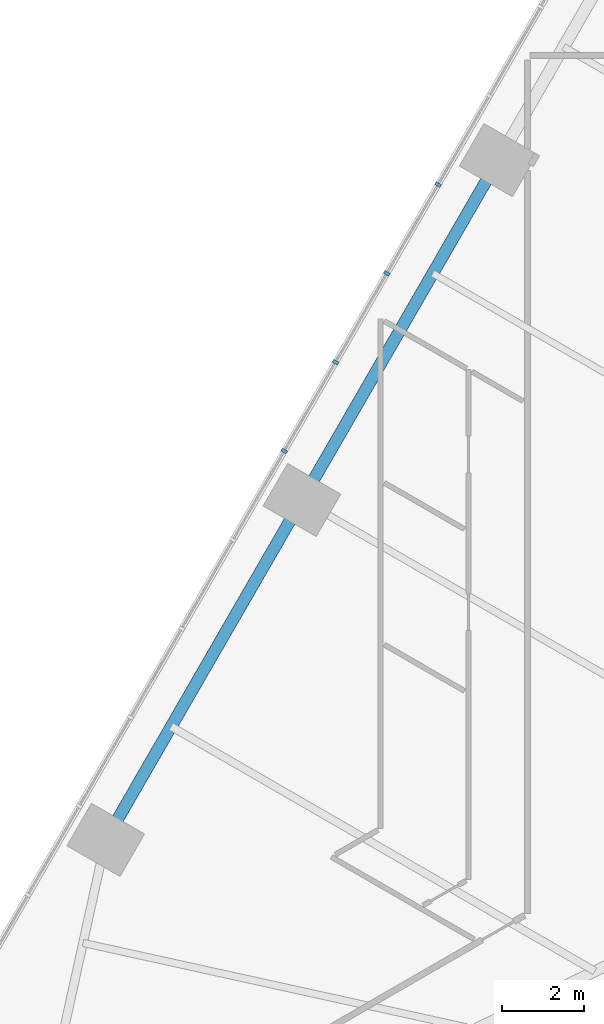
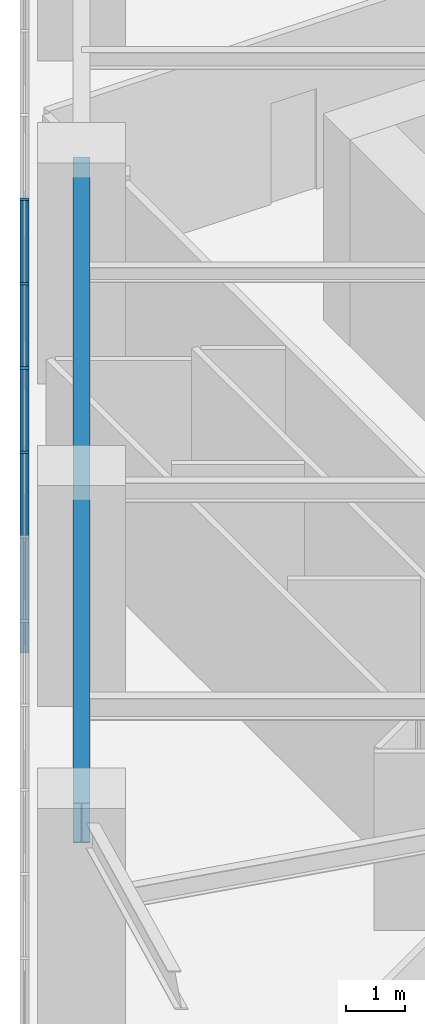
# One storey, part 4 of 29: 4 members, 1 beam, 1 element without a shape of its own.
"""IFC4 building model written with IfcOpenShell, lengths in metres."""

from ifc_helpers import new_model, si_unit, direction, frame, origin, origin_2d, place, context, subcontext, project, spatial, rectangle, i_section, extrude, material, layer, layer_set, material_profile, profile_set, type_object, element, aggregate, save


model = new_model("IFC4")

# Units and contexts
model_context = context("Model", 3, precision=1e-05, world=origin(), true_north=direction((0.0, 1.0)))
body_context = subcontext(model_context, "Body", "Model", "MODEL_VIEW")
ifc_project = project(units=[si_unit("LENGTHUNIT", "METRE"), si_unit("AREAUNIT", "SQUARE_METRE"), si_unit("VOLUMEUNIT", "CUBIC_METRE"), si_unit("PLANEANGLEUNIT", "RADIAN"), si_unit("MASSUNIT", "GRAM", prefix="KILO")], contexts=[model_context])

# Site, building, storey
site_placement = place(None, origin())
site = spatial("IfcSite", under=ifc_project, at=site_placement, CompositionType="ELEMENT")
building_placement = place(site_placement, origin())
building = spatial("IfcBuilding", under=site, at=building_placement, Name="Firuza Gate Tower and Library", CompositionType="ELEMENT")
storey_placement = place(building_placement, frame((0.0, 0.0, 8.0)))
storey = spatial("IfcBuildingStorey", under=building, at=storey_placement, Name="L01", CompositionType="ELEMENT", Elevation=8.0)

# Curtain wall, members
ifc_material_1 = material(Name="Aluminium 6063-T6", Category="aluminium")
ifc_layer = layer(ifc_material_1, 0.14990234375)
ifc_layer_set = layer_set([ifc_layer], Name="Stick curtain wall, podium")
curtain_wall_type = type_object("IfcCurtainWallType", Name="Stick curtain wall, podium", PredefinedType="NOTDEFINED", material=ifc_layer_set)
curtain_wall_placement = place(storey_placement, origin())
curtain_wall = element("IfcCurtainWall", 1, at=curtain_wall_placement, inside=storey, type_object=curtain_wall_type, Name="CW5 L01 W", PredefinedType="NOTDEFINED")
ifc_material_2 = material(Name="Aluminium 6063-T6", Category="aluminium")
ifc_material_profile_1 = material_profile(ifc_material_2, rectangle(XDim=0.14990234375, YDim=0.080078125, at=origin_2d()))
ifc_profile_set_1 = profile_set([ifc_material_profile_1], Name="Aluminium 6063-T6")
member_type = type_object("IfcMemberType", Name="Curtain wall mullion 80x150", PredefinedType="MULLION", material=ifc_profile_set_1)
member_1_placement = place(storey_placement, frame((56.30810546875, 84.34375, 0.14990234375), z_axis=(0.0, 0.0, 1.0), x_axis=(0.866025403784, -0.5, 0.0)))
member_1 = element("IfcMember", 2, at=member_1_placement, type_object=member_type, Name="Mullion", PredefinedType="MULLION", context=body_context, shape_type="SweptSolid", body=[
    extrude(rectangle(XDim=0.14990234375, YDim=0.080078125, at=origin_2d()), origin(), (0.0, 0.0, 1.0), 4.150146484375),
])
member_2_placement = place(storey_placement, frame((55.053955078125, 82.171630859375, 0.14990234375), z_axis=(0.0, 0.0, 1.0), x_axis=(0.866025403784, -0.5, 0.0)))
member_2 = element("IfcMember", 3, at=member_2_placement, type_object=member_type, Name="Mullion", PredefinedType="MULLION", context=body_context, shape_type="SweptSolid", body=[
    extrude(rectangle(XDim=0.14990234375, YDim=0.080078125, at=origin_2d()), origin(), (0.0, 0.0, 1.0), 4.150146484375),
])
member_3_placement = place(storey_placement, frame((53.7998046875, 79.99951171875, 0.14990234375), z_axis=(0.0, 0.0, 1.0), x_axis=(0.866025403784, -0.5, 0.0)))
member_3 = element("IfcMember", 4, at=member_3_placement, type_object=member_type, Name="Mullion", PredefinedType="MULLION", context=body_context, shape_type="SweptSolid", body=[
    extrude(rectangle(XDim=0.14990234375, YDim=0.080078125, at=origin_2d()), origin(), (0.0, 0.0, 1.0), 4.150146484375),
])
member_4_placement = place(storey_placement, frame((52.5458984375, 77.827392578125, 0.14990234375), z_axis=(0.0, 0.0, 1.0), x_axis=(0.866025403784, -0.5, 0.0)))
member_4 = element("IfcMember", 5, at=member_4_placement, type_object=member_type, Name="Mullion", PredefinedType="MULLION", context=body_context, shape_type="SweptSolid", body=[
    extrude(rectangle(XDim=0.14990234375, YDim=0.080078125, at=origin_2d()), origin(), (0.0, 0.0, 1.0), 4.150146484375),
])
aggregate(curtain_wall, [member_1, member_2, member_3, member_4])

# Beam
ifc_material_3 = material(Name="Steel S355", Category="steel")
ifc_material_profile_2 = material_profile(ifc_material_3, i_section(OverallWidth=0.2919921875, OverallDepth=0.8349609375, WebThickness=0.013916015625, FlangeThickness=0.018798828125, at=origin_2d()))
ifc_profile_set_2 = profile_set([ifc_material_profile_2], Name="Steel S355")
beam_type = type_object("IfcBeamType", Name="W840x176 Edge beam", PredefinedType="SPANDREL", material=ifc_profile_set_2)
beam_placement = place(storey_placement, frame((57.779541015625, 84.9423828125, 3.882568359375), z_axis=(-0.500003864429, -0.866023172644, 0.0), x_axis=(0.866023172644, -0.500003864429, 0.0)))
element("IfcBeam", 6, at=beam_placement, inside=storey, type_object=beam_type, Name="Edge beam L01 e102", PredefinedType="SPANDREL", context=body_context, shape_type="SweptSolid", body=[
    extrude(i_section(OverallWidth=0.2919921875, OverallDepth=0.8349609375, WebThickness=0.013916015625, FlangeThickness=0.018798828125, at=origin_2d()), origin(), (0.0, 0.0, 1.0), 19.199951171875),
])

save(model, "model.ifc")
